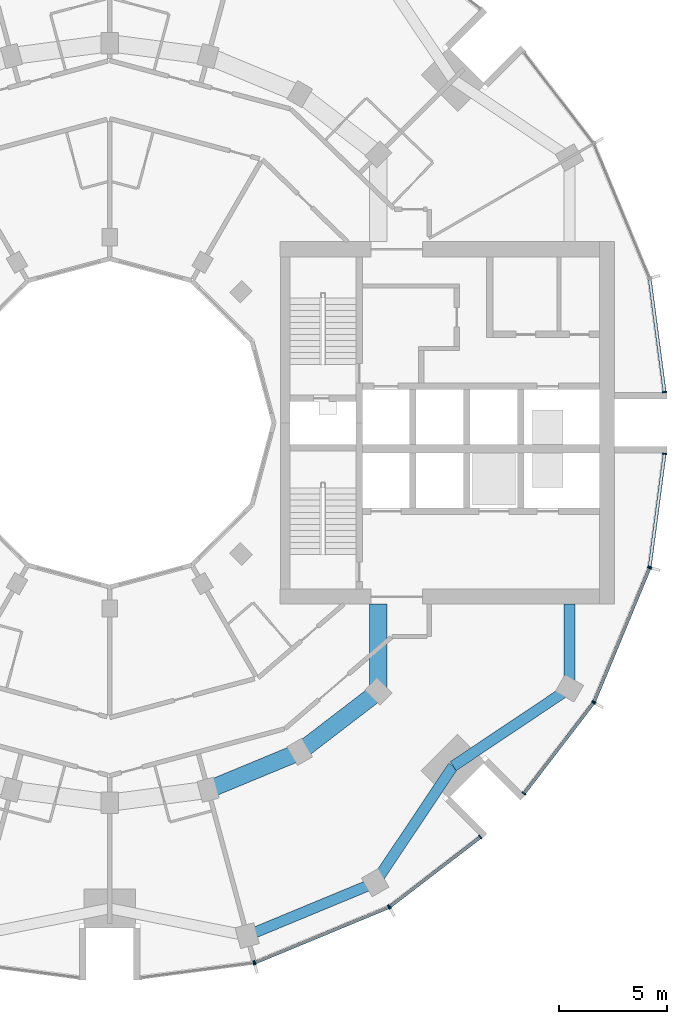
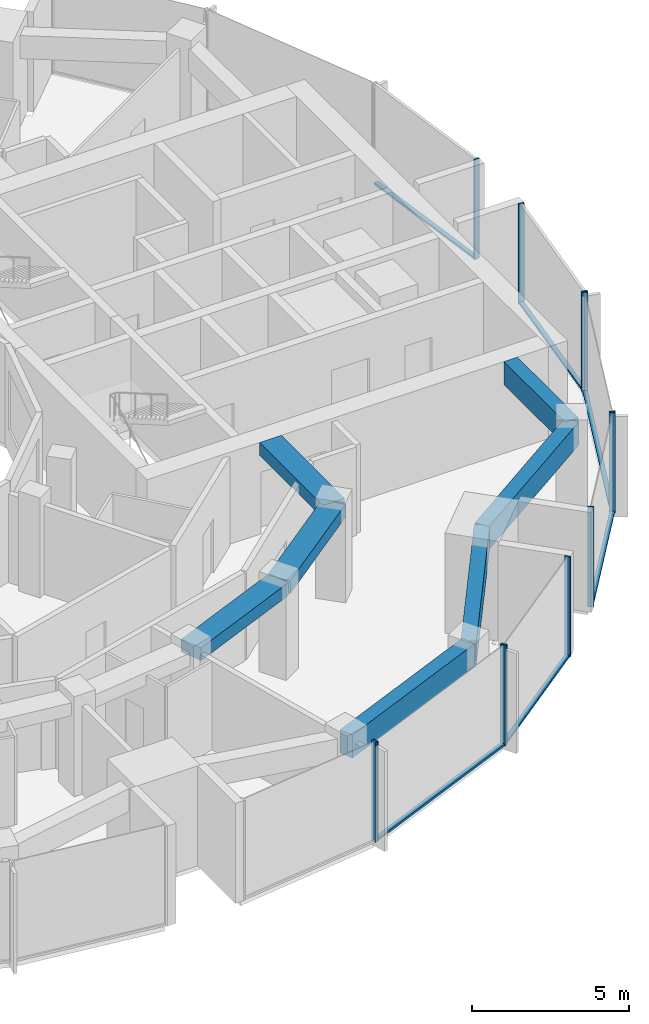
# One storey, part 4 of 15: 18 members, 7 beams, 7 elements without a shape of their own.
"""IFC4 building model written with IfcOpenShell, lengths in metres."""

from ifc_helpers import new_model, si_unit, direction, frame, origin, origin_2d, place, context, subcontext, project, spatial, rectangle, extrude, material, layer, layer_set, material_profile, profile_set, type_object, element, aggregate, save


model = new_model("IFC4")

# Units and contexts
model_context = context("Model", 3, precision=1e-05, world=origin(), true_north=direction((0.0, 1.0)))
body_context = subcontext(model_context, "Body", "Model", "MODEL_VIEW")
ifc_project = project(units=[si_unit("LENGTHUNIT", "METRE"), si_unit("AREAUNIT", "SQUARE_METRE"), si_unit("VOLUMEUNIT", "CUBIC_METRE"), si_unit("PLANEANGLEUNIT", "RADIAN"), si_unit("MASSUNIT", "GRAM", prefix="KILO")], contexts=[model_context])

# Site, building, storey
site_placement = place(None, origin())
site = spatial("IfcSite", under=ifc_project, at=site_placement, CompositionType="ELEMENT")
building_placement = place(site_placement, origin())
building = spatial("IfcBuilding", under=site, at=building_placement, Name="Torre Brocal", CompositionType="ELEMENT")
storey_placement = place(building_placement, frame((0.0, 0.0, 138.0)))
storey = spatial("IfcBuildingStorey", under=building, at=storey_placement, Name="L32", CompositionType="ELEMENT", Elevation=138.0)

# Curtain wall, member
ifc_material_1 = material(Name="Aluminium and glass", Category="aluminium")
ifc_layer_1 = layer(ifc_material_1, 0.199951171875)
ifc_layer_set_1 = layer_set([ifc_layer_1], Name="Aluminium and glass")
curtain_wall_type_1 = type_object("IfcCurtainWallType", Name="CW-1 CURTAIN WALL 3900 HIGH", PredefinedType="NOTDEFINED", material=ifc_layer_set_1)
curtain_wall_1_placement = place(storey_placement, origin())
curtain_wall_1 = element("IfcCurtainWall", 1, at=curtain_wall_1_placement, inside=storey, type_object=curtain_wall_type_1, Name="CW-1 RUN 19", PredefinedType="NOTDEFINED")
ifc_material_2 = material(Name="Aluminium, dark anodised", Category="aluminium")
ifc_material_profile_1 = material_profile(ifc_material_2, rectangle(XDim=0.199951171875, YDim=0.06005859375, at=origin_2d()), Name="CW-1 MULLION 60X200")
ifc_profile_set_1 = profile_set([ifc_material_profile_1], Name="Aluminium, dark anodised")
member_type_1 = type_object("IfcMemberType", Name="CW-1 MULLION 60X200", PredefinedType="MULLION", material=ifc_profile_set_1)
member_1_placement = place(storey_placement, frame((86.67333984375, 49.9794921875, 0.0), z_axis=(0.0, 0.0, 1.0), x_axis=(-0.13052619222, 0.991444861374, 0.0)))
member_1 = element("IfcMember", 2, at=member_1_placement, type_object=member_type_1, Name="CW1-3 mullion 2", PredefinedType="MULLION", context=body_context, shape_type="SweptSolid", body=[
    extrude(rectangle(XDim=0.199951171875, YDim=0.06005859375, at=origin_2d()), origin(), (0.0, 0.0, 1.0), 3.89990234375),
])
aggregate(curtain_wall_1, [member_1])

# Curtain wall, members
curtain_wall_2_placement = place(storey_placement, origin())
curtain_wall_2 = element("IfcCurtainWall", 3, at=curtain_wall_2_placement, inside=storey, type_object=curtain_wall_type_1, Name="CW-1 RUN 20", PredefinedType="NOTDEFINED")
member_2_placement = place(storey_placement, frame((86.73095703125, 49.994873046875, 0.0), z_axis=(0.0, 0.0, 1.0), x_axis=(-0.382683432333, 0.923879532525, 0.0)))
member_2 = element("IfcMember", 4, at=member_2_placement, type_object=member_type_1, Name="CW1-3 mullion 1", PredefinedType="MULLION", context=body_context, shape_type="SweptSolid", body=[
    extrude(rectangle(XDim=0.199951171875, YDim=0.06005859375, at=origin_2d()), origin(), (0.0, 0.0, 1.0), 3.89990234375),
])
member_3_placement = place(storey_placement, frame((92.921875, 52.559326171875, 0.0), z_axis=(0.0, 0.0, 1.0), x_axis=(-0.382683432333, 0.923879532525, 0.0)))
member_3 = element("IfcMember", 5, at=member_3_placement, type_object=member_type_1, Name="CW1-3 mullion 2", PredefinedType="MULLION", context=body_context, shape_type="SweptSolid", body=[
    extrude(rectangle(XDim=0.199951171875, YDim=0.06005859375, at=origin_2d()), origin(), (0.0, 0.0, 1.0), 3.89990234375),
])

curtain_wall_3_placement = place(storey_placement, origin())
curtain_wall_3 = element("IfcCurtainWall", 6, at=curtain_wall_3_placement, inside=storey, type_object=curtain_wall_type_1, Name="CW-1 RUN 21", PredefinedType="NOTDEFINED")
member_4_placement = place(storey_placement, frame((92.973388671875, 52.5888671875, 0.0), z_axis=(0.0, 0.0, 1.0), x_axis=(-0.60876142905, 0.793353340259, 0.0)))
member_4 = element("IfcMember", 7, at=member_4_placement, type_object=member_type_1, Name="CW1-3 mullion 1", PredefinedType="MULLION", context=body_context, shape_type="SweptSolid", body=[
    extrude(rectangle(XDim=0.199951171875, YDim=0.06005859375, at=origin_2d()), origin(), (0.0, 0.0, 1.0), 3.89990234375),
])
member_5_placement = place(storey_placement, frame((97.16943359375, 55.80859375, 0.0), z_axis=(0.0, 0.0, 1.0), x_axis=(-0.60876142905, 0.793353340259, 0.0)))
member_5 = element("IfcMember", 8, at=member_5_placement, type_object=member_type_1, Name="CW1-3 mullion 2", PredefinedType="MULLION", context=body_context, shape_type="SweptSolid", body=[
    extrude(rectangle(XDim=0.199951171875, YDim=0.06005859375, at=origin_2d()), origin(), (0.0, 0.0, 1.0), 3.89990234375),
])

curtain_wall_4_placement = place(storey_placement, origin())
curtain_wall_4 = element("IfcCurtainWall", 9, at=curtain_wall_4_placement, inside=storey, type_object=curtain_wall_type_1, Name="CW-1 RUN 22", PredefinedType="NOTDEFINED")
member_6_placement = place(storey_placement, frame((99.19140625, 57.83056640625, 0.0), z_axis=(0.0, 0.0, 1.0), x_axis=(-0.793353340259, 0.60876142905, 0.0)))
member_6 = element("IfcMember", 10, at=member_6_placement, type_object=member_type_1, Name="CW1-3 mullion 1", PredefinedType="MULLION", context=body_context, shape_type="SweptSolid", body=[
    extrude(rectangle(XDim=0.199951171875, YDim=0.06005859375, at=origin_2d()), origin(), (0.0, 0.0, 1.0), 3.89990234375),
])
member_7_placement = place(storey_placement, frame((102.4111328125, 62.026611328125, 0.0), z_axis=(0.0, 0.0, 1.0), x_axis=(-0.793353340259, 0.60876142905, 0.0)))
member_7 = element("IfcMember", 11, at=member_7_placement, type_object=member_type_1, Name="CW1-3 mullion 2", PredefinedType="MULLION", context=body_context, shape_type="SweptSolid", body=[
    extrude(rectangle(XDim=0.199951171875, YDim=0.06005859375, at=origin_2d()), origin(), (0.0, 0.0, 1.0), 3.89990234375),
])

curtain_wall_5_placement = place(storey_placement, origin())
curtain_wall_5 = element("IfcCurtainWall", 12, at=curtain_wall_5_placement, inside=storey, type_object=curtain_wall_type_1, Name="CW-1 RUN 23", PredefinedType="NOTDEFINED")
member_8_placement = place(storey_placement, frame((102.440673828125, 62.078125, 0.0), z_axis=(0.0, 0.0, 1.0), x_axis=(-0.923879532525, 0.382683432333, 0.0)))
member_8 = element("IfcMember", 13, at=member_8_placement, type_object=member_type_1, Name="CW1-3 mullion 1", PredefinedType="MULLION", context=body_context, shape_type="SweptSolid", body=[
    extrude(rectangle(XDim=0.199951171875, YDim=0.06005859375, at=origin_2d()), origin(), (0.0, 0.0, 1.0), 3.89990234375),
])
member_9_placement = place(storey_placement, frame((105.005126953125, 68.26904296875, 0.0), z_axis=(0.0, 0.0, 1.0), x_axis=(-0.923879532525, 0.382683432333, 0.0)))
member_9 = element("IfcMember", 14, at=member_9_placement, type_object=member_type_1, Name="CW1-3 mullion 2", PredefinedType="MULLION", context=body_context, shape_type="SweptSolid", body=[
    extrude(rectangle(XDim=0.199951171875, YDim=0.06005859375, at=origin_2d()), origin(), (0.0, 0.0, 1.0), 3.89990234375),
])

# Member
ifc_material_3 = material(Name="Aluminium, dark anodised", Category="aluminium")
ifc_material_profile_2 = material_profile(ifc_material_3, rectangle(XDim=0.159912109375, YDim=0.080078125, at=origin_2d()), Name="CW-1 TRANSOM 160X80")
ifc_profile_set_2 = profile_set([ifc_material_profile_2], Name="Aluminium, dark anodised")
member_type_2 = type_object("IfcMemberType", Name="CW-1 TRANSOM 160X80", PredefinedType="USERDEFINED", material=ifc_profile_set_2)
member_10_placement = place(storey_placement, frame((86.758544921875, 50.00634765625, 0.0400390625), z_axis=(0.923887344364, 0.38266457234, 0.0), x_axis=(-0.38266457234, 0.923887344364, 0.0)))
member_10 = element("IfcMember", 15, at=member_10_placement, type_object=member_type_2, Name="CW1-3 transom 1.1", ObjectType="TRANSOM", PredefinedType="USERDEFINED", context=body_context, shape_type="SweptSolid", body=[
    extrude(rectangle(XDim=0.159912109375, YDim=0.080078125, at=origin_2d()), origin(), (0.0, 0.0, 1.0), 6.640869140625),
])

aggregate(curtain_wall_2, [member_2, member_3, member_10])

member_11_placement = place(storey_placement, frame((92.9970703125, 52.607177734375, 0.0400390625), z_axis=(0.79336281513, 0.60874908096, 0.0), x_axis=(-0.60874908096, 0.79336281513, 0.0)))
member_11 = element("IfcMember", 16, at=member_11_placement, type_object=member_type_2, Name="CW1-3 transom 1.1", ObjectType="TRANSOM", PredefinedType="USERDEFINED", context=body_context, shape_type="SweptSolid", body=[
    extrude(rectangle(XDim=0.159912109375, YDim=0.080078125, at=origin_2d()), origin(), (0.0, 0.0, 1.0), 5.22900390625),
])

aggregate(curtain_wall_3, [member_4, member_5, member_11])

member_12_placement = place(storey_placement, frame((99.209716796875, 57.8544921875, 0.0400390625), z_axis=(0.60874908096, 0.79336281513, 0.0), x_axis=(-0.79336281513, 0.60874908096, 0.0)))
member_12 = element("IfcMember", 17, at=member_12_placement, type_object=member_type_2, Name="CW1-3 transom 1.1", ObjectType="TRANSOM", PredefinedType="USERDEFINED", context=body_context, shape_type="SweptSolid", body=[
    extrude(rectangle(XDim=0.159912109375, YDim=0.080078125, at=origin_2d()), origin(), (0.0, 0.0, 1.0), 5.22900390625),
])

aggregate(curtain_wall_4, [member_6, member_7, member_12])

member_13_placement = place(storey_placement, frame((102.452392578125, 62.10595703125, 0.0400390625), z_axis=(0.38266457234, 0.923887344364, 0.0), x_axis=(-0.923887344364, 0.38266457234, 0.0)))
member_13 = element("IfcMember", 18, at=member_13_placement, type_object=member_type_2, Name="CW1-3 transom 1.1", ObjectType="TRANSOM", PredefinedType="USERDEFINED", context=body_context, shape_type="SweptSolid", body=[
    extrude(rectangle(XDim=0.159912109375, YDim=0.080078125, at=origin_2d()), origin(), (0.0, 0.0, 1.0), 6.640869140625),
])

aggregate(curtain_wall_5, [member_8, member_9, member_13])

# Curtain wall, member
ifc_material_4 = material(Name="Aluminium and glass", Category="aluminium")
ifc_layer_2 = layer(ifc_material_4, 0.199951171875)
ifc_layer_set_2 = layer_set([ifc_layer_2], Name="Aluminium and glass")
curtain_wall_type_2 = type_object("IfcCurtainWallType", Name="CW-1B CURTAIN WALL 3900 HIGH", PredefinedType="NOTDEFINED", material=ifc_layer_set_2)
curtain_wall_6_placement = place(storey_placement, origin())
curtain_wall_6 = element("IfcCurtainWall", 19, at=curtain_wall_6_placement, inside=storey, type_object=curtain_wall_type_2, Name="CW-1B RUN 1", PredefinedType="NOTDEFINED")
ifc_material_5 = material(Name="Aluminium, dark anodised", Category="aluminium")
ifc_material_profile_3 = material_profile(ifc_material_5, rectangle(XDim=0.199951171875, YDim=0.06005859375, at=origin_2d()), Name="CW-1B MULLION 60X200")
ifc_profile_set_3 = profile_set([ifc_material_profile_3], Name="Aluminium, dark anodised")
member_type_3 = type_object("IfcMemberType", Name="CW-1B MULLION 60X200", PredefinedType="MULLION", material=ifc_profile_set_3)
member_14_placement = place(storey_placement, frame((105.7109375, 76.4296875, 0.0), z_axis=(0.0, 0.0, 1.0), x_axis=(-0.991444861374, -0.13052619222, 0.0)))
member_14 = element("IfcMember", 20, at=member_14_placement, type_object=member_type_3, Name="CW1B-3 mullion 1", PredefinedType="MULLION", context=body_context, shape_type="SweptSolid", body=[
    extrude(rectangle(XDim=0.199951171875, YDim=0.06005859375, at=origin_2d()), origin(), (0.0, 0.0, 1.0), 3.89990234375),
])

# Curtain wall, members
curtain_wall_7_placement = place(storey_placement, origin())
curtain_wall_7 = element("IfcCurtainWall", 21, at=curtain_wall_7_placement, inside=storey, type_object=curtain_wall_type_2, Name="CW-1B RUN 24", PredefinedType="NOTDEFINED")
member_15_placement = place(storey_placement, frame((105.0205078125, 68.32666015625, 0.0), z_axis=(0.0, 0.0, 1.0), x_axis=(-0.991444861374, 0.13052619222, 0.0)))
member_15 = element("IfcMember", 22, at=member_15_placement, type_object=member_type_3, Name="CW1B-3 mullion 1", PredefinedType="MULLION", context=body_context, shape_type="SweptSolid", body=[
    extrude(rectangle(XDim=0.199951171875, YDim=0.06005859375, at=origin_2d()), origin(), (0.0, 0.0, 1.0), 3.89990234375),
])
member_16_placement = place(storey_placement, frame((105.7109375, 73.5703125, 0.0), z_axis=(0.0, 0.0, 1.0), x_axis=(-0.991444861374, 0.13052619222, 0.0)))
member_16 = element("IfcMember", 23, at=member_16_placement, type_object=member_type_3, Name="CW1B-3 mullion 2", PredefinedType="MULLION", context=body_context, shape_type="SweptSolid", body=[
    extrude(rectangle(XDim=0.199951171875, YDim=0.06005859375, at=origin_2d()), origin(), (0.0, 0.0, 1.0), 3.89990234375),
])

# Member
ifc_material_6 = material(Name="Aluminium, dark anodised", Category="aluminium")
ifc_material_profile_4 = material_profile(ifc_material_6, rectangle(XDim=0.159912109375, YDim=0.080078125, at=origin_2d()), Name="CW-1B TRANSOM 160X80")
ifc_profile_set_4 = profile_set([ifc_material_profile_4], Name="Aluminium, dark anodised")
member_type_4 = type_object("IfcMemberType", Name="CW-1B TRANSOM 160X80", PredefinedType="USERDEFINED", material=ifc_profile_set_4)
member_17_placement = place(storey_placement, frame((105.70703125, 76.45947265625, 0.0400390625), z_axis=(-0.130542677827, 0.991442690863, 0.0), x_axis=(-0.991442690863, -0.130542677827, 0.0)))
member_17 = element("IfcMember", 24, at=member_17_placement, type_object=member_type_4, Name="CW1B-3 transom 1.1", ObjectType="TRANSOM", PredefinedType="USERDEFINED", context=body_context, shape_type="SweptSolid", body=[
    extrude(rectangle(XDim=0.159912109375, YDim=0.080078125, at=origin_2d()), origin(), (0.0, 0.0, 1.0), 5.22900390625),
])

aggregate(curtain_wall_6, [member_14, member_17])

member_18_placement = place(storey_placement, frame((105.0244140625, 68.356201171875, 0.0400390625), z_axis=(0.130542677827, 0.991442690863, 0.0), x_axis=(-0.991442690863, 0.130542677827, 0.0)))
member_18 = element("IfcMember", 25, at=member_18_placement, type_object=member_type_4, Name="CW1B-3 transom 1.1", ObjectType="TRANSOM", PredefinedType="USERDEFINED", context=body_context, shape_type="SweptSolid", body=[
    extrude(rectangle(XDim=0.159912109375, YDim=0.080078125, at=origin_2d()), origin(), (0.0, 0.0, 1.0), 5.22900390625),
])

aggregate(curtain_wall_7, [member_15, member_16, member_18])

# Beams
ifc_material_7 = material(Name="Concrete C50", Category="concrete")
ifc_material_profile_5 = material_profile(ifc_material_7, rectangle(XDim=0.800048828125, YDim=0.5, at=origin_2d()), Name="RC 800X500")
ifc_profile_set_5 = profile_set([ifc_material_profile_5], Name="Concrete C50")
beam_type_1 = type_object("IfcBeamType", Name="RC BEAM 800X500 C50 TOP 3580", PredefinedType="BEAM", material=ifc_profile_set_5)
beam_1_placement = place(storey_placement, frame((84.55517578125, 57.999755859375, 3.330078125), z_axis=(0.923878240166, 0.382686552348, 0.0), x_axis=(-0.382686552348, 0.923878240166, 0.0)))
element("IfcBeam", 26, at=beam_1_placement, inside=storey, type_object=beam_type_1, Name="Beam BT-28", PredefinedType="BEAM", context=body_context, shape_type="SweptSolid", body=[
    extrude(rectangle(XDim=0.800048828125, YDim=0.5, at=origin_2d()), origin(), (0.0, 0.0, 1.0), 4.5947265625),
])
beam_2_placement = place(storey_placement, frame((88.800048828125, 59.758056640625, 3.330078125), z_axis=(0.793358265959, 0.6087550097, 0.0), x_axis=(-0.6087550097, 0.793358265959, 0.0)))
element("IfcBeam", 27, at=beam_2_placement, inside=storey, type_object=beam_type_1, Name="Beam BT-28", PredefinedType="BEAM", context=body_context, shape_type="SweptSolid", body=[
    extrude(rectangle(XDim=0.800048828125, YDim=0.5, at=origin_2d()), origin(), (0.0, 0.0, 1.0), 4.594482421875),
])
beam_3_placement = place(storey_placement, frame((92.445068359375, 62.554931640625, 3.330078125), z_axis=(0.0, 1.0, 0.0), x_axis=(-1.0, 0.0, 0.0)))
element("IfcBeam", 28, at=beam_3_placement, inside=storey, type_object=beam_type_1, Name="Beam BT-28", PredefinedType="BEAM", context=body_context, shape_type="SweptSolid", body=[
    extrude(rectangle(XDim=0.800048828125, YDim=0.5, at=origin_2d()), origin(), (0.0, 0.0, 1.0), 4.045166015625),
])
ifc_material_8 = material(Name="Concrete C50", Category="concrete")
ifc_material_profile_6 = material_profile(ifc_material_8, rectangle(XDim=0.5, YDim=0.89990234375, at=origin_2d()), Name="RC 500X900")
ifc_profile_set_6 = profile_set([ifc_material_profile_6], Name="Concrete C50")
beam_type_2 = type_object("IfcBeamType", Name="RC SPANDREL BEAM 500X900 C50 TOP 3580", PredefinedType="SPANDREL", material=ifc_profile_set_6)
beam_4_placement = place(storey_placement, frame((86.366943359375, 51.23828125, 3.1298828125), z_axis=(0.923882462513, 0.382676358639, 0.0), x_axis=(-0.382676358639, 0.923882462513, 0.0)))
element("IfcBeam", 29, at=beam_4_placement, inside=storey, type_object=beam_type_2, Name="Beam BT-29", PredefinedType="SPANDREL", context=body_context, shape_type="SweptSolid", body=[
    extrude(rectangle(XDim=0.5, YDim=0.89990234375, at=origin_2d()), origin(), (0.0, 0.0, 1.0), 6.421875),
])
for number, where, z_axis, x_axis, name in (
    (30, (92.300048828125, 53.69580078125, 3.1298828125), (0.556157602282, 0.831076844476, 0.0), (-0.831076844476, 0.556157602282, 0.0), "Beam BT-29"),
    (31, (95.909912109375, 59.090087890625, 3.1298828125), (0.831076844476, 0.556157602282, 0.0), (-0.556157602282, 0.831076844476, 0.0), "Beam BT-29"),
):
    element("IfcBeam", number, at=place(storey_placement, frame(where, z_axis=z_axis, x_axis=x_axis)), inside=storey, type_object=beam_type_2, Name=name, PredefinedType="SPANDREL", context=body_context, shape_type="SweptSolid", body=[
        extrude(rectangle(XDim=0.5, YDim=0.89990234375, at=origin_2d()), origin(), (0.0, 0.0, 1.0), 6.49072265625),
    ])
beam_5_placement = place(storey_placement, frame((101.30419921875, 62.699951171875, 3.1298828125), z_axis=(0.0, 1.0, 0.0), x_axis=(-1.0, 0.0, 0.0)))
element("IfcBeam", 32, at=beam_5_placement, inside=storey, type_object=beam_type_2, Name="Beam BT-29", PredefinedType="SPANDREL", context=body_context, shape_type="SweptSolid", body=[
    extrude(rectangle(XDim=0.5, YDim=0.89990234375, at=origin_2d()), origin(), (0.0, 0.0, 1.0), 3.900146484375),
])

save(model, "model.ifc")
